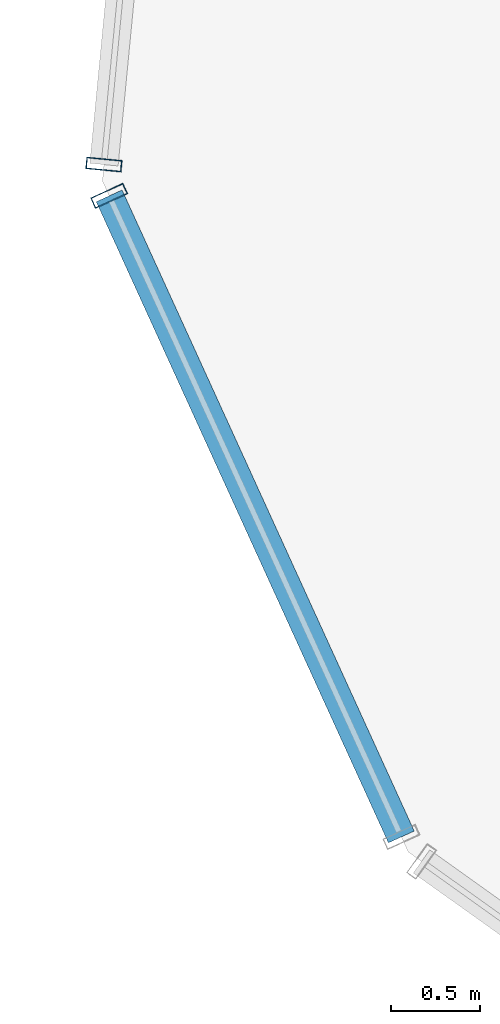
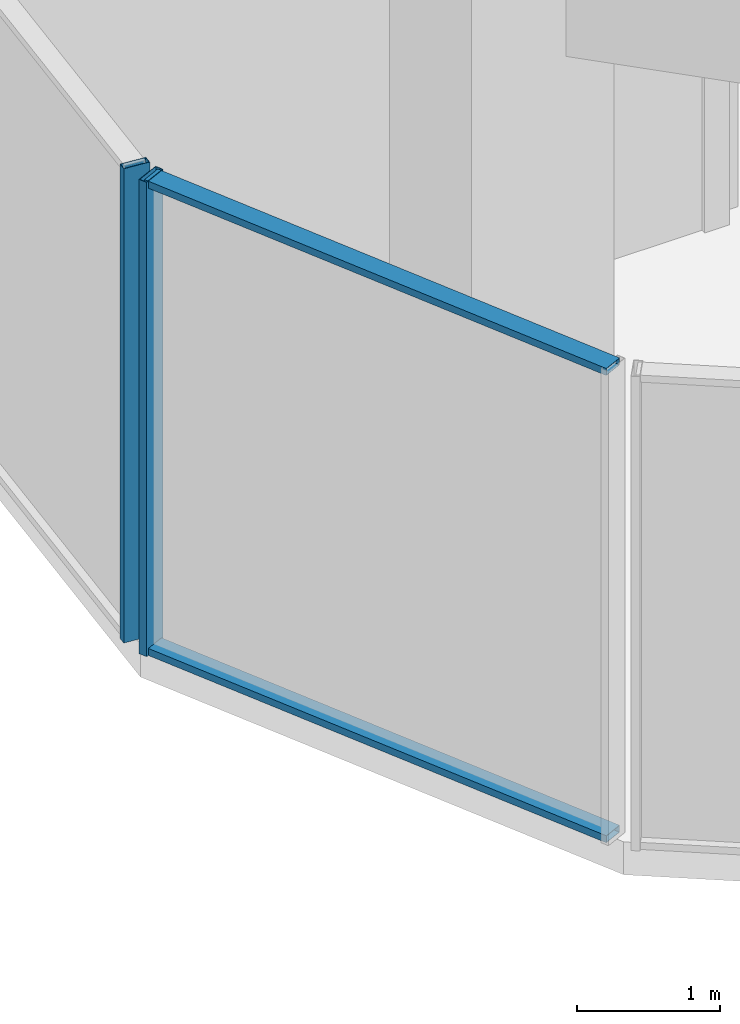
# One storey, part 3 of 25: 4 members, 2 elements without a shape of their own.
"""IFC4 building model written with IfcOpenShell, lengths in metres."""

from ifc_helpers import new_model, si_unit, direction, frame, origin, origin_2d, place, context, subcontext, project, spatial, hollow_rectangle, extrude, source, transform, mapped, material, layer, layer_set, material_profile, profile_set, type_object, element, aggregate, save


model = new_model("IFC4")

# Units and contexts
model_context = context("Model", 3, precision=1e-05, world=origin(), true_north=direction((0.0, 1.0)))
body_context = subcontext(model_context, "Body", "Model", "MODEL_VIEW")
ifc_project = project(units=[si_unit("LENGTHUNIT", "METRE"), si_unit("AREAUNIT", "SQUARE_METRE"), si_unit("VOLUMEUNIT", "CUBIC_METRE"), si_unit("PLANEANGLEUNIT", "RADIAN"), si_unit("MASSUNIT", "GRAM", prefix="KILO")], contexts=[model_context])

# Site, building, storey
site_placement = place(None, origin())
site = spatial("IfcSite", under=ifc_project, at=site_placement, CompositionType="ELEMENT")
building_placement = place(site_placement, origin())
building = spatial("IfcBuilding", under=site, at=building_placement, Name="Veraguas Prism Commons", CompositionType="ELEMENT")
storey_placement = place(building_placement, frame((0.0, 0.0, 108.949951171875)))
storey = spatial("IfcBuildingStorey", under=building, at=storey_placement, Name="L30", CompositionType="ELEMENT", Elevation=108.949951171875)

# Curtain wall, member
ifc_material = material(Name="Anodised aluminium EN AW-6063 T6", Category="aluminium")
ifc_layer = layer(ifc_material, 0.199951171875, Name="Sky Lobby and Pool Acoustic Curtain Wall", Category="aluminium")
ifc_layer_set = layer_set([ifc_layer], Name="Anodised aluminium EN AW-6063 T6")
curtain_wall_type = type_object("IfcCurtainWallType", Name="Sky Lobby and Pool Acoustic Curtain Wall", PredefinedType="NOTDEFINED", material=ifc_layer_set)
curtain_wall_1_placement = place(storey_placement, origin())
curtain_wall_1 = element("IfcCurtainWall", 1, at=curtain_wall_1_placement, inside=storey, type_object=curtain_wall_type, Name="Tower Facade Curtain Wall L30-F3", PredefinedType="NOTDEFINED")
ifc_material_profile_1 = material_profile(ifc_material, hollow_rectangle(XDim=0.06494140625, YDim=0.199951171875, WallThickness=0.00390625, at=origin_2d()), Name="AL65X200X4")
ifc_profile_set_1 = profile_set([ifc_material_profile_1], Name="Anodised aluminium EN AW-6063 T6")
member_type_1 = type_object("IfcMemberType", Name="Curtain Wall Mullion Heavy AL 65x200x4", PredefinedType="MULLION", material=ifc_profile_set_1)
shared_shape_1 = source(origin(), body_context, "Body", "SweptSolid", [
    extrude(hollow_rectangle(XDim=0.06494140625, YDim=0.199951171875, WallThickness=0.00390625, at=origin_2d()), origin(), (0.0, 0.0, 1.0), 4.050048828125),
])
member_1_placement = place(storey_placement, frame((4.0830078125, 17.29345703125, 0.0), z_axis=(0.0, 0.0, 1.0), x_axis=(-0.095837066046, -0.995397034741, 0.0)))
member_1 = element("IfcMember", 2, at=member_1_placement, type_object=member_type_1, Name="CW-SKY Mullion 5", PredefinedType="MULLION", context=body_context, shape_type="MappedRepresentation", body=[
    mapped(shared_shape_1, transform((0.0, 0.0, 0.0), scale=1.0)),
])
aggregate(curtain_wall_1, [member_1])

# Curtain wall, members
curtain_wall_2_placement = place(storey_placement, origin())
curtain_wall_2 = element("IfcCurtainWall", 3, at=curtain_wall_2_placement, inside=storey, type_object=curtain_wall_type, Name="Chamfer Curtain Wall L30-C4", PredefinedType="NOTDEFINED")
member_2_placement = place(storey_placement, frame((4.112548828125, 17.1171875, 0.0), z_axis=(0.0, 0.0, 1.0), x_axis=(0.41469006629, -0.909962718423, 0.0)))
member_2 = element("IfcMember", 4, at=member_2_placement, type_object=member_type_1, Name="CW-SKY Mullion 1", PredefinedType="MULLION", context=body_context, shape_type="MappedRepresentation", body=[
    mapped(shared_shape_1, transform((0.0, 0.0, 0.0), scale=1.0)),
])
ifc_material_profile_2 = material_profile(ifc_material, hollow_rectangle(XDim=0.06005859375, YDim=0.159912109375, WallThickness=0.0029296875, at=origin_2d()), Name="AL60X160X3")
ifc_profile_set_2 = profile_set([ifc_material_profile_2], Name="Anodised aluminium EN AW-6063 T6")
member_type_2 = type_object("IfcMemberType", Name="Curtain Wall Transom Heavy AL 60x160x3", PredefinedType="USERDEFINED", material=ifc_profile_set_2)
shared_shape_2 = source(origin(), body_context, "Body", "SweptSolid", [
    extrude(hollow_rectangle(XDim=0.06005859375, YDim=0.159912109375, WallThickness=0.0029296875, at=origin_2d()), origin(), (0.0, 0.0, 1.0), 3.968017578125),
])
member_3_placement = place(storey_placement, frame((4.112548828125, 17.1171875, 0.030029296875), z_axis=(0.414683495845, -0.909965712692, 0.0), x_axis=(0.0, 0.0, 1.0)))
member_3 = element("IfcMember", 5, at=member_3_placement, type_object=member_type_2, Name="CW-SKY Transom 1", ObjectType="TRANSOM", PredefinedType="USERDEFINED", context=body_context, shape_type="MappedRepresentation", body=[
    mapped(shared_shape_2, transform((0.0, 0.0, 0.0), scale=1.0)),
])
member_4_placement = place(storey_placement, frame((4.112548828125, 17.1171875, 4.02001953125), z_axis=(0.414683495845, -0.909965712692, 0.0), x_axis=(0.0, 0.0, 1.0)))
member_4 = element("IfcMember", 6, at=member_4_placement, type_object=member_type_2, Name="CW-SKY Transom 2", ObjectType="TRANSOM", PredefinedType="USERDEFINED", context=body_context, shape_type="MappedRepresentation", body=[
    mapped(shared_shape_2, transform((0.0, 0.0, 0.0), scale=1.0)),
])
aggregate(curtain_wall_2, [member_2, member_3, member_4])

save(model, "model.ifc")
